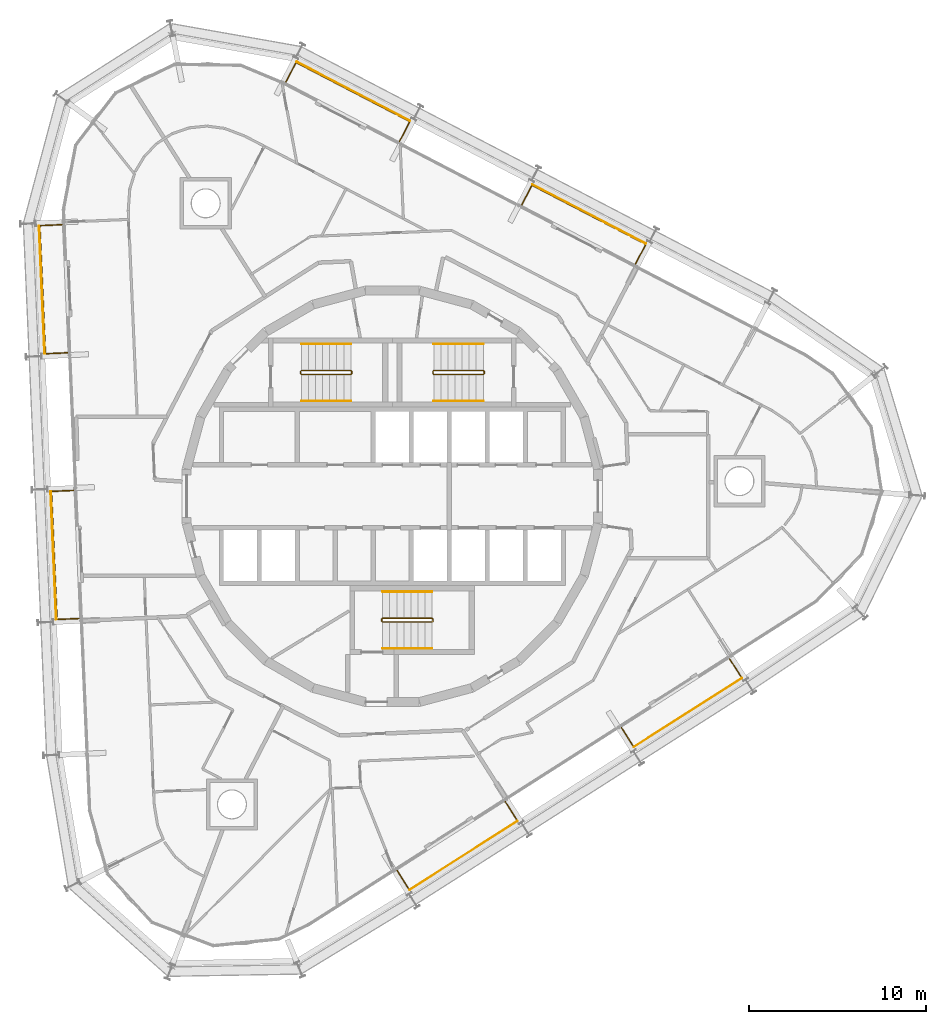
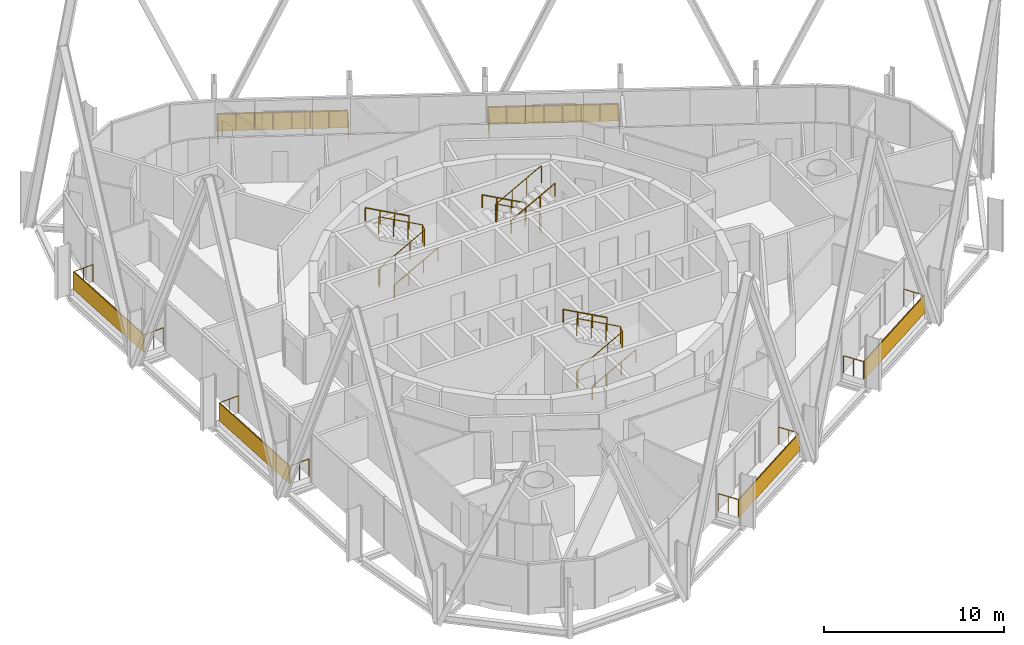
# One storey, part 18 of 18: 15 railings, 6 shading devices.
"""IFC4 building model written with IfcOpenShell, lengths in metres."""

from ifc_helpers import new_model, si_unit, direction, frame, origin, origin_2d, place, context, subcontext, project, spatial, rectangle, circle, extrude, material, layer, layer_set, type_object, element, save


model = new_model("IFC4")

# Units and contexts
model_context = context("Model", 3, precision=1e-05, world=origin(), true_north=direction((0.0, 1.0)))
body_context = subcontext(model_context, "Body", "Model", "MODEL_VIEW")
ifc_project = project(units=[si_unit("LENGTHUNIT", "METRE"), si_unit("AREAUNIT", "SQUARE_METRE"), si_unit("VOLUMEUNIT", "CUBIC_METRE"), si_unit("PLANEANGLEUNIT", "RADIAN"), si_unit("MASSUNIT", "GRAM", prefix="KILO")], contexts=[model_context])

# Site, building, storey
site_placement = place(None, origin())
site = spatial("IfcSite", under=ifc_project, at=site_placement, CompositionType="ELEMENT")
building_placement = place(site_placement, origin())
building = spatial("IfcBuilding", under=site, at=building_placement, Name="Spindle Arch Residences", CompositionType="ELEMENT")
storey_placement = place(building_placement, frame((0.0, 0.0, 240.699951171875)))
storey = spatial("IfcBuildingStorey", under=building, at=storey_placement, Name="L61", CompositionType="ELEMENT", Elevation=240.699951171875)

# Railings
ifc_material_1 = material(Name="Bronze anodised aluminium guard with glass infill", Category="aluminium")
railing_type_1 = type_object("IfcRailingType", Name="Balcony guard 1200", PredefinedType="GUARDRAIL", material=ifc_material_1)
railing_1_placement = place(storey_placement, frame((12.9736328125, -13.106201171875, 0.0)))
element("IfcRailing", 1, at=railing_1_placement, inside=storey, type_object=railing_type_1, Name="Guard L61 bay 1", PredefinedType="GUARDRAIL", context=body_context, shape_type="SweptSolid", body=[
    extrude(circle(Radius=0.02392578125, at=origin_2d()), frame((0.0, 0.0, 1.17578125), z_axis=(0.537317754526, -0.843379885148, 0.0), x_axis=(0.843379885148, 0.537317754526, 0.0)), (0.0, 0.0, 1.0), 1.25),
    extrude(circle(Radius=0.02392578125, at=origin_2d()), frame((0.671630859375, -1.05419921875, 1.17578125), z_axis=(0.843396919493, 0.537291016294, 0.0), x_axis=(-0.537291016294, 0.843396919493, 0.0)), (0.0, 0.0, 1.0), 7.26025390625),
    extrude(circle(Radius=0.02392578125, at=origin_2d()), frame((6.794921875, 2.8466796875, 1.17578125), z_axis=(-0.537317754526, 0.843379885148, 0.0), x_axis=(-0.843379885148, -0.537317754526, 0.0)), (0.0, 0.0, 1.0), 1.25),
    extrude(circle(Radius=0.02099609375, at=origin_2d()), origin(), (0.0, 0.0, 1.0), 1.15185546875),
    extrude(circle(Radius=0.02099609375, at=origin_2d()), frame((0.3359375, -0.527099609375, 0.0)), (0.0, 0.0, 1.0), 1.15185546875),
    extrude(circle(Radius=0.02099609375, at=origin_2d()), frame((0.671630859375, -1.05419921875, 0.0)), (0.0, 0.0, 1.0), 1.15185546875),
    extrude(circle(Radius=0.02099609375, at=origin_2d()), frame((1.54638671875, -0.496826171875, 0.0)), (0.0, 0.0, 1.0), 1.15185546875),
    extrude(circle(Radius=0.02099609375, at=origin_2d()), frame((2.421142578125, 0.060302734375, 0.0)), (0.0, 0.0, 1.0), 1.15185546875),
    extrude(circle(Radius=0.02099609375, at=origin_2d()), frame((3.2958984375, 0.61767578125, 0.0)), (0.0, 0.0, 1.0), 1.15185546875),
    extrude(circle(Radius=0.02099609375, at=origin_2d()), frame((4.170654296875, 1.1748046875, 0.0)), (0.0, 0.0, 1.0), 1.15185546875),
    extrude(circle(Radius=0.02099609375, at=origin_2d()), frame((5.04541015625, 1.732177734375, 0.0)), (0.0, 0.0, 1.0), 1.15185546875),
    extrude(circle(Radius=0.02099609375, at=origin_2d()), frame((5.920166015625, 2.289306640625, 0.0)), (0.0, 0.0, 1.0), 1.15185546875),
    extrude(circle(Radius=0.02099609375, at=origin_2d()), frame((6.794921875, 2.8466796875, 0.0)), (0.0, 0.0, 1.0), 1.15185546875),
    extrude(circle(Radius=0.02099609375, at=origin_2d()), frame((6.458984375, 3.373779296875, 0.0)), (0.0, 0.0, 1.0), 1.15185546875),
    extrude(circle(Radius=0.02099609375, at=origin_2d()), frame((6.123291015625, 3.90087890625, 0.0)), (0.0, 0.0, 1.0), 1.15185546875),
])
railing_2_placement = place(storey_placement, frame((13.76904296875, 13.152587890625, 0.0)))
element("IfcRailing", 2, at=railing_2_placement, inside=storey, type_object=railing_type_1, Name="Guard L61 bay 7", PredefinedType="GUARDRAIL", context=body_context, shape_type="SweptSolid", body=[
    extrude(circle(Radius=0.02392578125, at=origin_2d()), frame((0.0, 0.0, 1.17578125), z_axis=(0.461684760331, 0.887044069975, 0.0), x_axis=(-0.887044069975, 0.461684760331, 0.0)), (0.0, 0.0, 1.0), 1.25),
    extrude(circle(Radius=0.02392578125, at=origin_2d()), frame((0.5771484375, 1.10888671875, 1.17578125), z_axis=(-0.887010793131, 0.461748690165, 0.0), x_axis=(-0.461748690165, -0.887010793131, 0.0)), (0.0, 0.0, 1.0), 7.260009765625),
    extrude(circle(Radius=0.02392578125, at=origin_2d()), frame((-5.862548828125, 4.461181640625, 1.17578125), z_axis=(-0.461684760331, -0.887044069975, 0.0), x_axis=(0.887044069975, -0.461684760331, 0.0)), (0.0, 0.0, 1.0), 1.25),
    extrude(circle(Radius=0.02099609375, at=origin_2d()), origin(), (0.0, 0.0, 1.0), 1.15185546875),
    extrude(circle(Radius=0.02099609375, at=origin_2d()), frame((0.28857421875, 0.554443359375, 0.0)), (0.0, 0.0, 1.0), 1.15185546875),
    extrude(circle(Radius=0.02099609375, at=origin_2d()), frame((0.5771484375, 1.10888671875, 0.0)), (0.0, 0.0, 1.0), 1.15185546875),
    extrude(circle(Radius=0.02099609375, at=origin_2d()), frame((-0.3427734375, 1.587890625, 0.0)), (0.0, 0.0, 1.0), 1.15185546875),
    extrude(circle(Radius=0.02099609375, at=origin_2d()), frame((-1.2626953125, 2.066650390625, 0.0)), (0.0, 0.0, 1.0), 1.15185546875),
    extrude(circle(Radius=0.02099609375, at=origin_2d()), frame((-2.1826171875, 2.545654296875, 0.0)), (0.0, 0.0, 1.0), 1.15185546875),
    extrude(circle(Radius=0.02099609375, at=origin_2d()), frame((-3.102783203125, 3.0244140625, 0.0)), (0.0, 0.0, 1.0), 1.15185546875),
    extrude(circle(Radius=0.02099609375, at=origin_2d()), frame((-4.022705078125, 3.50341796875, 0.0)), (0.0, 0.0, 1.0), 1.15185546875),
    extrude(circle(Radius=0.02099609375, at=origin_2d()), frame((-4.942626953125, 3.982177734375, 0.0)), (0.0, 0.0, 1.0), 1.15185546875),
    extrude(circle(Radius=0.02099609375, at=origin_2d()), frame((-5.862548828125, 4.461181640625, 0.0)), (0.0, 0.0, 1.0), 1.15185546875),
    extrude(circle(Radius=0.02099609375, at=origin_2d()), frame((-6.151123046875, 3.90673828125, 0.0)), (0.0, 0.0, 1.0), 1.15185546875),
    extrude(circle(Radius=0.02099609375, at=origin_2d()), frame((-6.439697265625, 3.352294921875, 0.0)), (0.0, 0.0, 1.0), 1.15185546875),
])
railing_3_placement = place(storey_placement, frame((0.410400390625, 20.106689453125, 0.0)))
element("IfcRailing", 3, at=railing_3_placement, inside=storey, type_object=railing_type_1, Name="Guard L61 bay 9", PredefinedType="GUARDRAIL", context=body_context, shape_type="SweptSolid", body=[
    extrude(circle(Radius=0.02392578125, at=origin_2d()), frame((0.0, 0.0, 1.17578125), z_axis=(0.461918414855, 0.88692241939, 0.0), x_axis=(-0.88692241939, 0.461918414855, 0.0)), (0.0, 0.0, 1.0), 1.25),
    extrude(circle(Radius=0.02392578125, at=origin_2d()), frame((0.577392578125, 1.108642578125, 1.17578125), z_axis=(-0.887017962739, 0.461734917218, 0.0), x_axis=(-0.461734917218, -0.887017962739, 0.0)), (0.0, 0.0, 1.0), 7.26025390625),
    extrude(circle(Radius=0.02392578125, at=origin_2d()), frame((-5.862548828125, 4.4609375, 1.17578125), z_axis=(-0.461764753675, -0.887002430811, 0.0), x_axis=(0.887002430811, -0.461764753675, 0.0)), (0.0, 0.0, 1.0), 1.249755859375),
    extrude(circle(Radius=0.02099609375, at=origin_2d()), origin(), (0.0, 0.0, 1.0), 1.15185546875),
    extrude(circle(Radius=0.02099609375, at=origin_2d()), frame((0.28857421875, 0.55419921875, 0.0)), (0.0, 0.0, 1.0), 1.15185546875),
    extrude(circle(Radius=0.02099609375, at=origin_2d()), frame((0.577392578125, 1.108642578125, 0.0)), (0.0, 0.0, 1.0), 1.15185546875),
    extrude(circle(Radius=0.02099609375, at=origin_2d()), frame((-0.342529296875, 1.587646484375, 0.0)), (0.0, 0.0, 1.0), 1.15185546875),
    extrude(circle(Radius=0.02099609375, at=origin_2d()), frame((-1.2626953125, 2.06640625, 0.0)), (0.0, 0.0, 1.0), 1.15185546875),
    extrude(circle(Radius=0.02099609375, at=origin_2d()), frame((-2.1826171875, 2.54541015625, 0.0)), (0.0, 0.0, 1.0), 1.15185546875),
    extrude(circle(Radius=0.02099609375, at=origin_2d()), frame((-3.1025390625, 3.024169921875, 0.0)), (0.0, 0.0, 1.0), 1.15185546875),
    extrude(circle(Radius=0.02099609375, at=origin_2d()), frame((-4.0224609375, 3.503173828125, 0.0)), (0.0, 0.0, 1.0), 1.15185546875),
    extrude(circle(Radius=0.02099609375, at=origin_2d()), frame((-4.942626953125, 3.98193359375, 0.0)), (0.0, 0.0, 1.0), 1.15185546875),
    extrude(circle(Radius=0.02099609375, at=origin_2d()), frame((-5.862548828125, 4.4609375, 0.0)), (0.0, 0.0, 1.0), 1.15185546875),
    extrude(circle(Radius=0.02099609375, at=origin_2d()), frame((-6.151123046875, 3.90673828125, 0.0)), (0.0, 0.0, 1.0), 1.15185546875),
    extrude(circle(Radius=0.02099609375, at=origin_2d()), frame((-6.439697265625, 3.352294921875, 0.0)), (0.0, 0.0, 1.0), 1.15185546875),
])
railing_4_placement = place(storey_placement, frame((-18.712890625, 15.378662109375, 0.0)))
element("IfcRailing", 4, at=railing_4_placement, inside=storey, type_object=railing_type_1, Name="Guard L61 bay 13", PredefinedType="GUARDRAIL", context=body_context, shape_type="SweptSolid", body=[
    extrude(circle(Radius=0.02392578125, at=origin_2d()), frame((0.0, 0.0, 1.17578125), z_axis=(-0.999042473849, -0.043750833654, 0.0), x_axis=(0.043750833654, -0.999042473849, 0.0)), (0.0, 0.0, 1.0), 1.25),
    extrude(circle(Radius=0.02392578125, at=origin_2d()), frame((-1.248779296875, -0.0546875, 1.17578125), z_axis=(0.043615260597, -0.999048401752, 0.0), x_axis=(0.999048401752, 0.043615260597, 0.0)), (0.0, 0.0, 1.0), 7.260009765625),
    extrude(circle(Radius=0.02392578125, at=origin_2d()), frame((-0.93212890625, -7.307861328125, 1.17578125), z_axis=(0.999042473849, 0.043750833654, 0.0), x_axis=(-0.043750833654, 0.999042473849, 0.0)), (0.0, 0.0, 1.0), 1.25),
    extrude(circle(Radius=0.02099609375, at=origin_2d()), origin(), (0.0, 0.0, 1.0), 1.15185546875),
    extrude(circle(Radius=0.02099609375, at=origin_2d()), frame((-0.62451171875, -0.02734375, 0.0)), (0.0, 0.0, 1.0), 1.15185546875),
    extrude(circle(Radius=0.02099609375, at=origin_2d()), frame((-1.248779296875, -0.0546875, 0.0)), (0.0, 0.0, 1.0), 1.15185546875),
    extrude(circle(Radius=0.02099609375, at=origin_2d()), frame((-1.20361328125, -1.0908203125, 0.0)), (0.0, 0.0, 1.0), 1.15185546875),
    extrude(circle(Radius=0.02099609375, at=origin_2d()), frame((-1.158203125, -2.126953125, 0.0)), (0.0, 0.0, 1.0), 1.15185546875),
    extrude(circle(Radius=0.02099609375, at=origin_2d()), frame((-1.113037109375, -3.1630859375, 0.0)), (0.0, 0.0, 1.0), 1.15185546875),
    extrude(circle(Radius=0.02099609375, at=origin_2d()), frame((-1.06787109375, -4.199462890625, 0.0)), (0.0, 0.0, 1.0), 1.15185546875),
    extrude(circle(Radius=0.02099609375, at=origin_2d()), frame((-1.022705078125, -5.235595703125, 0.0)), (0.0, 0.0, 1.0), 1.15185546875),
    extrude(circle(Radius=0.02099609375, at=origin_2d()), frame((-0.977294921875, -6.271728515625, 0.0)), (0.0, 0.0, 1.0), 1.15185546875),
    extrude(circle(Radius=0.02099609375, at=origin_2d()), frame((-0.93212890625, -7.307861328125, 0.0)), (0.0, 0.0, 1.0), 1.15185546875),
    extrude(circle(Radius=0.02099609375, at=origin_2d()), frame((-0.3076171875, -7.280517578125, 0.0)), (0.0, 0.0, 1.0), 1.15185546875),
    extrude(circle(Radius=0.02099609375, at=origin_2d()), frame((0.316650390625, -7.253173828125, 0.0)), (0.0, 0.0, 1.0), 1.15185546875),
])
railing_5_placement = place(storey_placement, frame((-18.05615234375, 0.332763671875, 0.0)))
element("IfcRailing", 5, at=railing_5_placement, inside=storey, type_object=railing_type_1, Name="Guard L61 bay 15", PredefinedType="GUARDRAIL", context=body_context, shape_type="SweptSolid", body=[
    extrude(circle(Radius=0.02392578125, at=origin_2d()), frame((0.0, 0.0, 1.17578125), z_axis=(-0.999050991967, -0.043555888799, 0.0), x_axis=(0.043555888799, -0.999050991967, 0.0)), (0.0, 0.0, 1.0), 1.25),
    extrude(circle(Radius=0.02392578125, at=origin_2d()), frame((-1.248779296875, -0.054443359375, 1.17578125), z_axis=(0.043615260597, -0.999048401752, 0.0), x_axis=(0.999048401752, 0.043615260597, 0.0)), (0.0, 0.0, 1.0), 7.260009765625),
    extrude(circle(Radius=0.02392578125, at=origin_2d()), frame((-0.93212890625, -7.3076171875, 1.17578125), z_axis=(0.999051362399, 0.043547391285, 0.0), x_axis=(-0.043547391285, 0.999051362399, 0.0)), (0.0, 0.0, 1.0), 1.250244140625),
    extrude(circle(Radius=0.02099609375, at=origin_2d()), origin(), (0.0, 0.0, 1.0), 1.15185546875),
    extrude(circle(Radius=0.02099609375, at=origin_2d()), frame((-0.62451171875, -0.02734375, 0.0)), (0.0, 0.0, 1.0), 1.15185546875),
    extrude(circle(Radius=0.02099609375, at=origin_2d()), frame((-1.248779296875, -0.054443359375, 0.0)), (0.0, 0.0, 1.0), 1.15185546875),
    extrude(circle(Radius=0.02099609375, at=origin_2d()), frame((-1.20361328125, -1.090576171875, 0.0)), (0.0, 0.0, 1.0), 1.15185546875),
    extrude(circle(Radius=0.02099609375, at=origin_2d()), frame((-1.158203125, -2.126708984375, 0.0)), (0.0, 0.0, 1.0), 1.15185546875),
    extrude(circle(Radius=0.02099609375, at=origin_2d()), frame((-1.113037109375, -3.162841796875, 0.0)), (0.0, 0.0, 1.0), 1.15185546875),
    extrude(circle(Radius=0.02099609375, at=origin_2d()), frame((-1.06787109375, -4.19921875, 0.0)), (0.0, 0.0, 1.0), 1.15185546875),
    extrude(circle(Radius=0.02099609375, at=origin_2d()), frame((-1.022705078125, -5.2353515625, 0.0)), (0.0, 0.0, 1.0), 1.15185546875),
    extrude(circle(Radius=0.02099609375, at=origin_2d()), frame((-0.977294921875, -6.271484375, 0.0)), (0.0, 0.0, 1.0), 1.15185546875),
    extrude(circle(Radius=0.02099609375, at=origin_2d()), frame((-0.93212890625, -7.3076171875, 0.0)), (0.0, 0.0, 1.0), 1.15185546875),
    extrude(circle(Radius=0.02099609375, at=origin_2d()), frame((-0.3076171875, -7.2802734375, 0.0)), (0.0, 0.0, 1.0), 1.15185546875),
    extrude(circle(Radius=0.02099609375, at=origin_2d()), frame((0.31689453125, -7.253173828125, 0.0)), (0.0, 0.0, 1.0), 1.15185546875),
])
railing_6_placement = place(storey_placement, frame((0.272216796875, -21.197998046875, 0.0)))
element("IfcRailing", 6, at=railing_6_placement, inside=storey, type_object=railing_type_1, Name="Guard L61 bay 21", PredefinedType="GUARDRAIL", context=body_context, shape_type="SweptSolid", body=[
    extrude(circle(Radius=0.02392578125, at=origin_2d()), frame((0.0, 0.0, 1.17578125), z_axis=(0.537317754526, -0.843379885148, 0.0), x_axis=(0.843379885148, 0.537317754526, 0.0)), (0.0, 0.0, 1.0), 1.25),
    extrude(circle(Radius=0.02392578125, at=origin_2d()), frame((0.671630859375, -1.05419921875, 1.17578125), z_axis=(0.843387211604, 0.537306254665, 0.0), x_axis=(-0.537306254665, 0.843387211604, 0.0)), (0.0, 0.0, 1.0), 7.260009765625),
    extrude(circle(Radius=0.02392578125, at=origin_2d()), frame((6.794677734375, 2.8466796875, 1.17578125), z_axis=(-0.537317754526, 0.843379885148, 0.0), x_axis=(-0.843379885148, -0.537317754526, 0.0)), (0.0, 0.0, 1.0), 1.25),
    extrude(circle(Radius=0.02099609375, at=origin_2d()), origin(), (0.0, 0.0, 1.0), 1.15185546875),
    extrude(circle(Radius=0.02099609375, at=origin_2d()), frame((0.3359375, -0.527099609375, 0.0)), (0.0, 0.0, 1.0), 1.15185546875),
    extrude(circle(Radius=0.02099609375, at=origin_2d()), frame((0.671630859375, -1.05419921875, 0.0)), (0.0, 0.0, 1.0), 1.15185546875),
    extrude(circle(Radius=0.02099609375, at=origin_2d()), frame((1.54638671875, -0.496826171875, 0.0)), (0.0, 0.0, 1.0), 1.15185546875),
    extrude(circle(Radius=0.02099609375, at=origin_2d()), frame((2.421142578125, 0.060302734375, 0.0)), (0.0, 0.0, 1.0), 1.15185546875),
    extrude(circle(Radius=0.02099609375, at=origin_2d()), frame((3.2958984375, 0.61767578125, 0.0)), (0.0, 0.0, 1.0), 1.15185546875),
    extrude(circle(Radius=0.02099609375, at=origin_2d()), frame((4.17041015625, 1.1748046875, 0.0)), (0.0, 0.0, 1.0), 1.15185546875),
    extrude(circle(Radius=0.02099609375, at=origin_2d()), frame((5.045166015625, 1.732177734375, 0.0)), (0.0, 0.0, 1.0), 1.15185546875),
    extrude(circle(Radius=0.02099609375, at=origin_2d()), frame((5.919921875, 2.289306640625, 0.0)), (0.0, 0.0, 1.0), 1.15185546875),
    extrude(circle(Radius=0.02099609375, at=origin_2d()), frame((6.794677734375, 2.8466796875, 0.0)), (0.0, 0.0, 1.0), 1.15185546875),
    extrude(circle(Radius=0.02099609375, at=origin_2d()), frame((6.458984375, 3.373779296875, 0.0)), (0.0, 0.0, 1.0), 1.15185546875),
    extrude(circle(Radius=0.02099609375, at=origin_2d()), frame((6.123046875, 3.90087890625, 0.0)), (0.0, 0.0, 1.0), 1.15185546875),
])

# Shading devices
ifc_material_2 = material(Name="Bronze perforated cobogo screen")
ifc_layer = layer(ifc_material_2, 0.0390625)
ifc_layer_set = layer_set([ifc_layer], Name="Cobogo screen 1200")
shading_device_type = type_object("IfcShadingDeviceType", Name="Cobogo screen 1200", PredefinedType="USERDEFINED", material=ifc_layer_set)
for number, where, z_axis, x_axis, name in (
    (7, (16.728759765625, -12.244140625, 0.0), (0.0, 0.0, 1.0), (0.843391445813, 0.537299608347, 0.0), "Cobogo screen L61 bay 1"),
    (8, (11.14501953125, 15.973388671875, 0.0), (0.0, 0.0, 1.0), (-0.887010833178, 0.461748613235, 0.0), "Cobogo screen L61 bay 7"),
    (9, (-2.21337890625, 22.927490234375, 0.0), (0.0, 0.0, 1.0), (-0.887010833178, 0.461748613235, 0.0), "Cobogo screen L61 bay 9"),
    (10, (-19.843994140625, 11.69580078125, 0.0), (0.0, 0.0, 1.0), (0.043619387365, -0.999048221582, 0.0), "Cobogo screen L61 bay 13"),
    (11, (-19.18701171875, -3.35009765625, 0.0), (0.0, 0.0, 1.0), (0.043619387365, -0.999048221582, 0.0), "Cobogo screen L61 bay 15"),
    (12, (4.027099609375, -20.3359375, 0.0), (0.0, 0.0, 1.0), (0.843391445813, 0.537299608347, 0.0), "Cobogo screen L61 bay 21"),
):
    element("IfcShadingDevice", number, at=place(storey_placement, frame(where, z_axis=z_axis, x_axis=x_axis)), inside=storey, type_object=shading_device_type, Name=name, ObjectType="SCREEN", PredefinedType="USERDEFINED", context=body_context, shape_type="SweptSolid", body=[
        extrude(rectangle(XDim=7.260009765625, YDim=0.0390625, at=origin_2d()), origin(), (0.0, 0.0, 1.0), 1.199951171875),
    ])

# Railings
ifc_material_3 = material(Name="Steel, painted", Category="steel")
railing_type_2 = type_object("IfcRailingType", Name="Stair guard 1100", PredefinedType="GUARDRAIL", material=ifc_material_3)
railing_7_placement = place(storey_placement, frame((5.14990234375, 6.89990234375, 3.5)))
element("IfcRailing", 13, at=railing_7_placement, inside=storey, type_object=railing_type_2, Name="L61 ST1 stair guard 1", PredefinedType="GUARDRAIL", context=body_context, shape_type="SweptSolid", body=[
    extrude(circle(Radius=0.02392578125, at=origin_2d()), frame((0.0, 0.0, 1.17578125), z_axis=(-0.877357048833, 0.0, -0.479838106931), x_axis=(0.0, -1.0, 0.0)), (0.0, 0.0, 1.0), 3.191162109375),
    extrude(circle(Radius=0.02392578125, at=origin_2d()), frame((-2.7998046875, 0.0, -0.35546875), z_axis=(-0.217683172539, 0.217683172539, -0.951434744366), x_axis=(-0.707106781187, -0.707106781187, 0.0)), (0.0, 0.0, 1.0), 0.22998046875),
    extrude(circle(Radius=0.02392578125, at=origin_2d()), frame((-2.849853515625, 0.050048828125, -0.57421875), z_axis=(0.0, 1.0, 0.0), x_axis=(-1.0, 0.0, 0.0)), (0.0, 0.0, 1.0), 0.1201171875),
    extrude(circle(Radius=0.02392578125, at=origin_2d()), frame((-2.849853515625, 0.170166015625, -0.57421875), z_axis=(0.707106781187, 0.707106781187, 0.0), x_axis=(-0.707106781187, 0.707106781187, 0.0)), (0.0, 0.0, 1.0), 0.07080078125),
    extrude(circle(Radius=0.02392578125, at=origin_2d()), frame((-2.7998046875, 0.22021484375, -0.57421875), z_axis=(0.877357048833, 0.0, -0.479838106931), x_axis=(0.0, 1.0, 0.0)), (0.0, 0.0, 1.0), 3.191162109375),
    extrude(circle(Radius=0.02392578125, at=origin_2d()), frame((0.0, 0.22021484375, -2.10546875), z_axis=(0.217683172539, -0.217683172539, -0.951434744366), x_axis=(0.707106781187, 0.707106781187, 0.0)), (0.0, 0.0, 1.0), 0.22998046875),
    extrude(circle(Radius=0.02392578125, at=origin_2d()), frame((0.050048828125, 0.170166015625, -2.32421875), z_axis=(0.0, -1.0, 0.0), x_axis=(1.0, 0.0, 0.0)), (0.0, 0.0, 1.0), 0.1201171875),
    extrude(circle(Radius=0.02099609375, at=origin_2d()), origin(), (0.0, 0.0, 1.0), 1.15185546875),
    extrude(circle(Radius=0.02099609375, at=origin_2d()), frame((-0.933349609375, 0.0, -0.510498046875)), (0.0, 0.0, 1.0), 1.15185546875),
    extrude(circle(Radius=0.02099609375, at=origin_2d()), frame((-1.866455078125, 0.0, -1.020751953125)), (0.0, 0.0, 1.0), 1.15185546875),
    extrude(circle(Radius=0.02099609375, at=origin_2d()), frame((-2.7998046875, 0.0, -1.53125)), (0.0, 0.0, 1.0), 1.15185546875),
    extrude(circle(Radius=0.02099609375, at=origin_2d()), frame((-2.849853515625, 0.050048828125, -1.75)), (0.0, 0.0, 1.0), 1.15185546875),
    extrude(circle(Radius=0.02099609375, at=origin_2d()), frame((-2.849853515625, 0.170166015625, -1.75)), (0.0, 0.0, 1.0), 1.15185546875),
    extrude(circle(Radius=0.02099609375, at=origin_2d()), frame((-2.7998046875, 0.22021484375, -1.75)), (0.0, 0.0, 1.0), 1.15185546875),
    extrude(circle(Radius=0.02099609375, at=origin_2d()), frame((-1.866455078125, 0.22021484375, -2.260498046875)), (0.0, 0.0, 1.0), 1.15185546875),
    extrude(circle(Radius=0.02099609375, at=origin_2d()), frame((-0.933349609375, 0.22021484375, -2.770751953125)), (0.0, 0.0, 1.0), 1.15185546875),
    extrude(circle(Radius=0.02099609375, at=origin_2d()), frame((0.0, 0.22021484375, -3.28125)), (0.0, 0.0, 1.0), 1.15185546875),
    extrude(circle(Radius=0.02099609375, at=origin_2d()), frame((0.050048828125, 0.170166015625, -3.5)), (0.0, 0.0, 1.0), 1.15185546875),
    extrude(circle(Radius=0.02099609375, at=origin_2d()), frame((0.050048828125, 0.050048828125, -3.5)), (0.0, 0.0, 1.0), 1.15185546875),
])
railing_8_placement = place(storey_placement, frame((-5.14990234375, 7.1201171875, 3.5)))
element("IfcRailing", 14, at=railing_8_placement, inside=storey, type_object=railing_type_2, Name="L61 ST2 stair guard 1", PredefinedType="GUARDRAIL", context=body_context, shape_type="SweptSolid", body=[
    extrude(circle(Radius=0.02392578125, at=origin_2d()), frame((0.0, 0.0, 1.17578125), z_axis=(0.877357048833, 0.0, -0.479838106931), x_axis=(0.0, 1.0, 0.0)), (0.0, 0.0, 1.0), 3.191162109375),
    extrude(circle(Radius=0.02392578125, at=origin_2d()), frame((2.7998046875, 0.0, -0.35546875), z_axis=(0.217683172539, -0.217683172539, -0.951434744366), x_axis=(0.707106781187, 0.707106781187, 0.0)), (0.0, 0.0, 1.0), 0.22998046875),
    extrude(circle(Radius=0.02392578125, at=origin_2d()), frame((2.849853515625, -0.050048828125, -0.57421875), z_axis=(0.0, -1.0, 0.0), x_axis=(1.0, 0.0, 0.0)), (0.0, 0.0, 1.0), 0.1201171875),
    extrude(circle(Radius=0.02392578125, at=origin_2d()), frame((2.849853515625, -0.170166015625, -0.57421875), z_axis=(-0.707106781187, -0.707106781187, 0.0), x_axis=(0.707106781187, -0.707106781187, 0.0)), (0.0, 0.0, 1.0), 0.07080078125),
    extrude(circle(Radius=0.02392578125, at=origin_2d()), frame((2.7998046875, -0.22021484375, -0.57421875), z_axis=(-0.877357048833, 0.0, -0.479838106931), x_axis=(0.0, -1.0, 0.0)), (0.0, 0.0, 1.0), 3.191162109375),
    extrude(circle(Radius=0.02392578125, at=origin_2d()), frame((0.0, -0.22021484375, -2.10546875), z_axis=(-0.217683172539, 0.217683172539, -0.951434744366), x_axis=(-0.707106781187, -0.707106781187, 0.0)), (0.0, 0.0, 1.0), 0.22998046875),
    extrude(circle(Radius=0.02392578125, at=origin_2d()), frame((-0.050048828125, -0.170166015625, -2.32421875), z_axis=(0.0, 1.0, 0.0), x_axis=(-1.0, 0.0, 0.0)), (0.0, 0.0, 1.0), 0.1201171875),
    extrude(circle(Radius=0.02099609375, at=origin_2d()), origin(), (0.0, 0.0, 1.0), 1.15185546875),
    extrude(circle(Radius=0.02099609375, at=origin_2d()), frame((0.933349609375, 0.0, -0.510498046875)), (0.0, 0.0, 1.0), 1.15185546875),
    extrude(circle(Radius=0.02099609375, at=origin_2d()), frame((1.866455078125, 0.0, -1.020751953125)), (0.0, 0.0, 1.0), 1.15185546875),
    extrude(circle(Radius=0.02099609375, at=origin_2d()), frame((2.7998046875, 0.0, -1.53125)), (0.0, 0.0, 1.0), 1.15185546875),
    extrude(circle(Radius=0.02099609375, at=origin_2d()), frame((2.849853515625, -0.050048828125, -1.75)), (0.0, 0.0, 1.0), 1.15185546875),
    extrude(circle(Radius=0.02099609375, at=origin_2d()), frame((2.849853515625, -0.170166015625, -1.75)), (0.0, 0.0, 1.0), 1.15185546875),
    extrude(circle(Radius=0.02099609375, at=origin_2d()), frame((2.7998046875, -0.22021484375, -1.75)), (0.0, 0.0, 1.0), 1.15185546875),
    extrude(circle(Radius=0.02099609375, at=origin_2d()), frame((1.866455078125, -0.22021484375, -2.260498046875)), (0.0, 0.0, 1.0), 1.15185546875),
    extrude(circle(Radius=0.02099609375, at=origin_2d()), frame((0.933349609375, -0.22021484375, -2.770751953125)), (0.0, 0.0, 1.0), 1.15185546875),
    extrude(circle(Radius=0.02099609375, at=origin_2d()), frame((0.0, -0.22021484375, -3.28125)), (0.0, 0.0, 1.0), 1.15185546875),
    extrude(circle(Radius=0.02099609375, at=origin_2d()), frame((-0.050048828125, -0.170166015625, -3.5)), (0.0, 0.0, 1.0), 1.15185546875),
    extrude(circle(Radius=0.02099609375, at=origin_2d()), frame((-0.050048828125, -0.050048828125, -3.5)), (0.0, 0.0, 1.0), 1.15185546875),
])
railing_9_placement = place(storey_placement, frame((-0.550048828125, -6.89990234375, 3.5)))
element("IfcRailing", 15, at=railing_9_placement, inside=storey, type_object=railing_type_2, Name="L61 ST3 stair guard 1", PredefinedType="GUARDRAIL", context=body_context, shape_type="SweptSolid", body=[
    extrude(circle(Radius=0.02392578125, at=origin_2d()), frame((0.0, 0.0, 1.17578125), z_axis=(0.877374661878, 0.0, -0.479805901063), x_axis=(0.0, 1.0, 0.0)), (0.0, 0.0, 1.0), 3.19140625),
    extrude(circle(Radius=0.02392578125, at=origin_2d()), frame((2.800048828125, 0.0, -0.35546875), z_axis=(0.217683172539, -0.217683172539, -0.951434744366), x_axis=(0.707106781187, 0.707106781187, 0.0)), (0.0, 0.0, 1.0), 0.22998046875),
    extrude(circle(Radius=0.02392578125, at=origin_2d()), frame((2.85009765625, -0.050048828125, -0.57421875), z_axis=(0.0, -1.0, 0.0), x_axis=(1.0, 0.0, 0.0)), (0.0, 0.0, 1.0), 0.1201171875),
    extrude(circle(Radius=0.02392578125, at=origin_2d()), frame((2.85009765625, -0.170166015625, -0.57421875), z_axis=(-0.707106781187, -0.707106781187, 0.0), x_axis=(0.707106781187, -0.707106781187, 0.0)), (0.0, 0.0, 1.0), 0.07080078125),
    extrude(circle(Radius=0.02392578125, at=origin_2d()), frame((2.800048828125, -0.22021484375, -0.57421875), z_axis=(-0.877374661878, 0.0, -0.479805901063), x_axis=(0.0, -1.0, 0.0)), (0.0, 0.0, 1.0), 3.19140625),
    extrude(circle(Radius=0.02392578125, at=origin_2d()), frame((0.0, -0.22021484375, -2.10546875), z_axis=(-0.217683172539, 0.217683172539, -0.951434744366), x_axis=(-0.707106781187, -0.707106781187, 0.0)), (0.0, 0.0, 1.0), 0.22998046875),
    extrude(circle(Radius=0.02392578125, at=origin_2d()), frame((-0.050048828125, -0.170166015625, -2.32421875), z_axis=(0.0, 1.0, 0.0), x_axis=(-1.0, 0.0, 0.0)), (0.0, 0.0, 1.0), 0.1201171875),
    extrude(circle(Radius=0.02099609375, at=origin_2d()), origin(), (0.0, 0.0, 1.0), 1.15185546875),
    extrude(circle(Radius=0.02099609375, at=origin_2d()), frame((0.933349609375, 0.0, -0.510498046875)), (0.0, 0.0, 1.0), 1.15185546875),
    extrude(circle(Radius=0.02099609375, at=origin_2d()), frame((1.86669921875, 0.0, -1.020751953125)), (0.0, 0.0, 1.0), 1.15185546875),
    extrude(circle(Radius=0.02099609375, at=origin_2d()), frame((2.800048828125, 0.0, -1.53125)), (0.0, 0.0, 1.0), 1.15185546875),
    extrude(circle(Radius=0.02099609375, at=origin_2d()), frame((2.85009765625, -0.050048828125, -1.75)), (0.0, 0.0, 1.0), 1.15185546875),
    extrude(circle(Radius=0.02099609375, at=origin_2d()), frame((2.85009765625, -0.170166015625, -1.75)), (0.0, 0.0, 1.0), 1.15185546875),
    extrude(circle(Radius=0.02099609375, at=origin_2d()), frame((2.800048828125, -0.22021484375, -1.75)), (0.0, 0.0, 1.0), 1.15185546875),
    extrude(circle(Radius=0.02099609375, at=origin_2d()), frame((1.86669921875, -0.22021484375, -2.260498046875)), (0.0, 0.0, 1.0), 1.15185546875),
    extrude(circle(Radius=0.02099609375, at=origin_2d()), frame((0.933349609375, -0.22021484375, -2.770751953125)), (0.0, 0.0, 1.0), 1.15185546875),
    extrude(circle(Radius=0.02099609375, at=origin_2d()), frame((0.0, -0.22021484375, -3.28125)), (0.0, 0.0, 1.0), 1.15185546875),
    extrude(circle(Radius=0.02099609375, at=origin_2d()), frame((-0.050048828125, -0.170166015625, -3.5)), (0.0, 0.0, 1.0), 1.15185546875),
    extrude(circle(Radius=0.02099609375, at=origin_2d()), frame((-0.050048828125, -0.050048828125, -3.5)), (0.0, 0.0, 1.0), 1.15185546875),
])
ifc_material_4 = material(Name="Steel, painted", Category="steel")
railing_type_3 = type_object("IfcRailingType", Name="Stair handrail 900", PredefinedType="HANDRAIL", material=ifc_material_4)
railing_10_placement = place(storey_placement, frame((5.14990234375, 8.6201171875, 0.21875)))
element("IfcRailing", 16, at=railing_10_placement, inside=storey, type_object=railing_type_3, Name="L61 ST1 stair handrail 1", PredefinedType="HANDRAIL", context=body_context, shape_type="SweptSolid", body=[
    extrude(circle(Radius=0.02392578125, at=origin_2d()), frame((0.0, 0.0, 0.8759765625), z_axis=(-0.877357048833, 0.0, 0.479838106931), x_axis=(0.0, -1.0, 0.0)), (0.0, 0.0, 1.0), 3.191162109375),
    extrude(circle(Radius=0.02099609375, at=origin_2d()), origin(), (0.0, 0.0, 1.0), 0.851806640625),
    extrude(circle(Radius=0.02099609375, at=origin_2d()), frame((-0.933349609375, 0.0, 0.510498046875)), (0.0, 0.0, 1.0), 0.851806640625),
    extrude(circle(Radius=0.02099609375, at=origin_2d()), frame((-1.866455078125, 0.0, 1.020751953125)), (0.0, 0.0, 1.0), 0.851806640625),
    extrude(circle(Radius=0.02099609375, at=origin_2d()), frame((-2.7998046875, 0.0, 1.53125)), (0.0, 0.0, 1.0), 0.851806640625),
])
for number, where, name in (
    (17, (2.35009765625, 5.39990234375, 1.96875), "L61 ST1 stair handrail 2"),
    (18, (-5.14990234375, 5.39990234375, 0.21875), "L61 ST2 stair handrail 1"),
):
    element("IfcRailing", number, at=place(storey_placement, frame(where)), inside=storey, type_object=railing_type_3, Name=name, PredefinedType="HANDRAIL", context=body_context, shape_type="SweptSolid", body=[
        extrude(circle(Radius=0.02392578125, at=origin_2d()), frame((0.0, 0.0, 0.8759765625), z_axis=(0.877357048833, 0.0, 0.479838106931), x_axis=(0.0, 1.0, 0.0)), (0.0, 0.0, 1.0), 3.191162109375),
        extrude(circle(Radius=0.02099609375, at=origin_2d()), origin(), (0.0, 0.0, 1.0), 0.851806640625),
        extrude(circle(Radius=0.02099609375, at=origin_2d()), frame((0.933349609375, 0.0, 0.510498046875)), (0.0, 0.0, 1.0), 0.851806640625),
        extrude(circle(Radius=0.02099609375, at=origin_2d()), frame((1.866455078125, 0.0, 1.020751953125)), (0.0, 0.0, 1.0), 0.851806640625),
        extrude(circle(Radius=0.02099609375, at=origin_2d()), frame((2.7998046875, 0.0, 1.53125)), (0.0, 0.0, 1.0), 0.851806640625),
    ])
railing_11_placement = place(storey_placement, frame((-2.35009765625, 8.6201171875, 1.96875)))
element("IfcRailing", 19, at=railing_11_placement, inside=storey, type_object=railing_type_3, Name="L61 ST2 stair handrail 2", PredefinedType="HANDRAIL", context=body_context, shape_type="SweptSolid", body=[
    extrude(circle(Radius=0.02392578125, at=origin_2d()), frame((0.0, 0.0, 0.8759765625), z_axis=(-0.877357048833, 0.0, 0.479838106931), x_axis=(0.0, -1.0, 0.0)), (0.0, 0.0, 1.0), 3.191162109375),
    extrude(circle(Radius=0.02099609375, at=origin_2d()), origin(), (0.0, 0.0, 1.0), 0.851806640625),
    extrude(circle(Radius=0.02099609375, at=origin_2d()), frame((-0.933349609375, 0.0, 0.510498046875)), (0.0, 0.0, 1.0), 0.851806640625),
    extrude(circle(Radius=0.02099609375, at=origin_2d()), frame((-1.866455078125, 0.0, 1.020751953125)), (0.0, 0.0, 1.0), 0.851806640625),
    extrude(circle(Radius=0.02099609375, at=origin_2d()), frame((-2.7998046875, 0.0, 1.53125)), (0.0, 0.0, 1.0), 0.851806640625),
])
railing_12_placement = place(storey_placement, frame((-0.550048828125, -8.6201171875, 0.21875)))
element("IfcRailing", 20, at=railing_12_placement, inside=storey, type_object=railing_type_3, Name="L61 ST3 stair handrail 1", PredefinedType="HANDRAIL", context=body_context, shape_type="SweptSolid", body=[
    extrude(circle(Radius=0.02392578125, at=origin_2d()), frame((0.0, 0.0, 0.8759765625), z_axis=(0.877374661878, 0.0, 0.479805901063), x_axis=(0.0, 1.0, 0.0)), (0.0, 0.0, 1.0), 3.19140625),
    extrude(circle(Radius=0.02099609375, at=origin_2d()), origin(), (0.0, 0.0, 1.0), 0.851806640625),
    extrude(circle(Radius=0.02099609375, at=origin_2d()), frame((0.933349609375, 0.0, 0.510498046875)), (0.0, 0.0, 1.0), 0.851806640625),
    extrude(circle(Radius=0.02099609375, at=origin_2d()), frame((1.86669921875, 0.0, 1.020751953125)), (0.0, 0.0, 1.0), 0.851806640625),
    extrude(circle(Radius=0.02099609375, at=origin_2d()), frame((2.800048828125, 0.0, 1.53125)), (0.0, 0.0, 1.0), 0.851806640625),
])
railing_13_placement = place(storey_placement, frame((2.25, -5.39990234375, 1.96875)))
element("IfcRailing", 21, at=railing_13_placement, inside=storey, type_object=railing_type_3, Name="L61 ST3 stair handrail 2", PredefinedType="HANDRAIL", context=body_context, shape_type="SweptSolid", body=[
    extrude(circle(Radius=0.02392578125, at=origin_2d()), frame((0.0, 0.0, 0.8759765625), z_axis=(-0.877374661878, 0.0, 0.479805901063), x_axis=(0.0, -1.0, 0.0)), (0.0, 0.0, 1.0), 3.19140625),
    extrude(circle(Radius=0.02099609375, at=origin_2d()), origin(), (0.0, 0.0, 1.0), 0.851806640625),
    extrude(circle(Radius=0.02099609375, at=origin_2d()), frame((-0.933349609375, 0.0, 0.510498046875)), (0.0, 0.0, 1.0), 0.851806640625),
    extrude(circle(Radius=0.02099609375, at=origin_2d()), frame((-1.86669921875, 0.0, 1.020751953125)), (0.0, 0.0, 1.0), 0.851806640625),
    extrude(circle(Radius=0.02099609375, at=origin_2d()), frame((-2.800048828125, 0.0, 1.53125)), (0.0, 0.0, 1.0), 0.851806640625),
])

save(model, "model.ifc")
